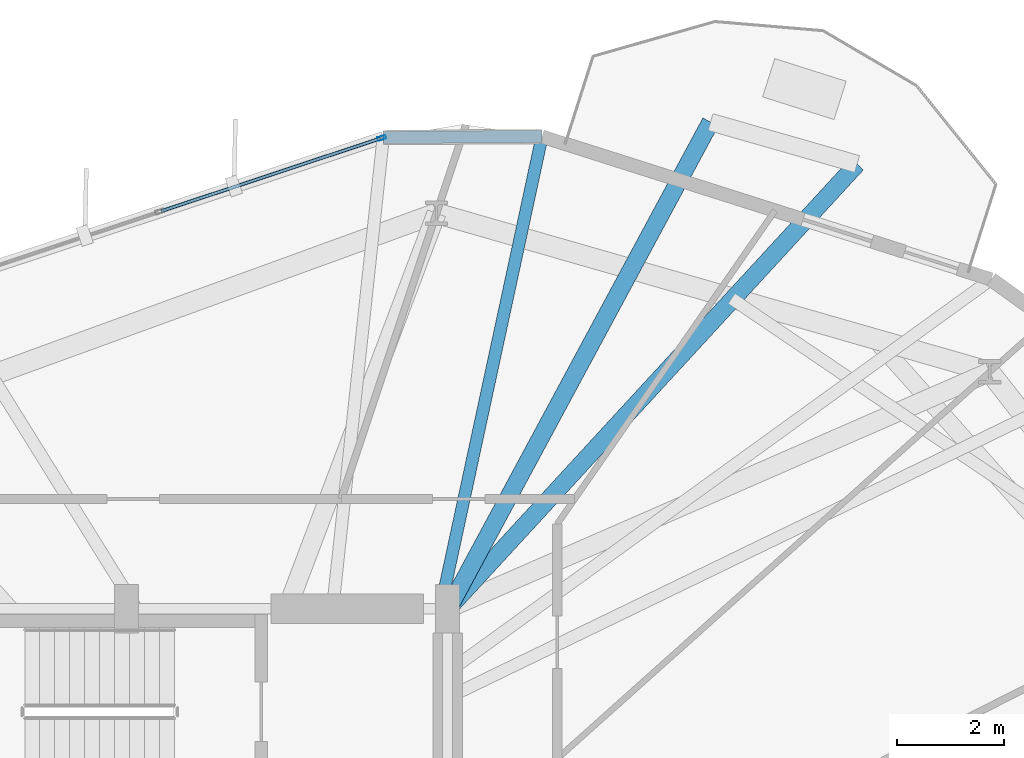
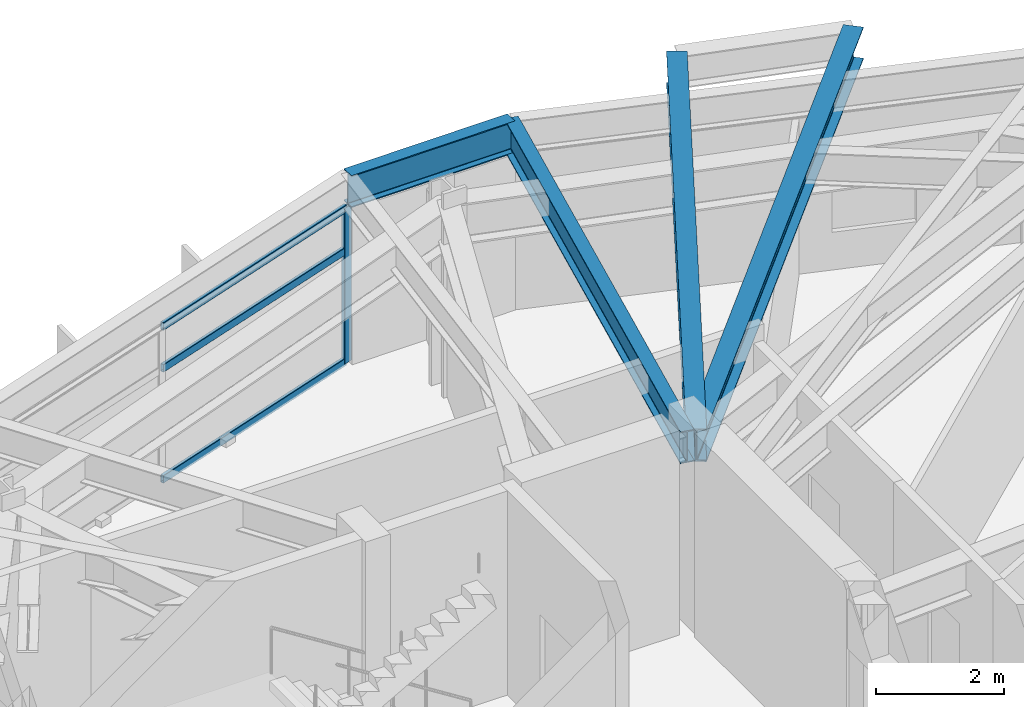
# One storey, part 18 of 27: 4 beams, 4 members, 1 element without a shape of its own.
"""IFC4 building model written with IfcOpenShell, lengths in metres."""

from ifc_helpers import new_model, si_unit, direction, frame, origin, origin_2d, place, context, subcontext, project, spatial, hollow_rectangle, i_section, extrude, material, layer, layer_set, material_profile, profile_set, type_object, element, aggregate, save


model = new_model("IFC4")

# Units and contexts
model_context = context("Model", 3, precision=1e-05, world=origin(), true_north=direction((0.0, 1.0)))
body_context = subcontext(model_context, "Body", "Model", "MODEL_VIEW")
ifc_project = project(units=[si_unit("LENGTHUNIT", "METRE"), si_unit("AREAUNIT", "SQUARE_METRE"), si_unit("VOLUMEUNIT", "CUBIC_METRE"), si_unit("PLANEANGLEUNIT", "RADIAN"), si_unit("MASSUNIT", "GRAM", prefix="KILO")], contexts=[model_context])

# Site, building, storey
site_placement = place(None, origin())
site = spatial("IfcSite", under=ifc_project, at=site_placement, CompositionType="ELEMENT")
building_placement = place(site_placement, origin())
building = spatial("IfcBuilding", under=site, at=building_placement, Name="Soratama Intermodal Tower", CompositionType="ELEMENT")
storey_placement = place(building_placement, frame((0.0, 0.0, 99.10009765625)))
storey = spatial("IfcBuildingStorey", under=building, at=storey_placement, Name="L23", CompositionType="ELEMENT", Elevation=99.10009765625)

# Beams
ifc_material_1 = material(Name="Structural steel ASTM A992 Grade 50", Category="steel")
ifc_material_profile_1 = material_profile(ifc_material_1, i_section(OverallWidth=0.324951171875, OverallDepth=0.615966796875, WebThickness=0.013916015625, FlangeThickness=0.021484375, FilletRadius=0.013916015625, at=origin_2d()), Name="W24X117")
ifc_profile_set_1 = profile_set([ifc_material_profile_1], Name="Structural steel ASTM A992 Grade 50")
beam_type_1 = type_object("IfcBeamType", Name="BM-CANT-W24X117", PredefinedType="BEAM", material=ifc_profile_set_1)
beam_1_placement = place(storey_placement, frame((44.626953125, 35.02001953125, 3.2919921875), z_axis=(0.676964478028, 0.736015689702, 0.0), x_axis=(-0.736015689702, 0.676964478028, 0.0)))
element("IfcBeam", 1, at=beam_1_placement, inside=storey, type_object=beam_type_1, Name="BM-L23-CANT-2-1", PredefinedType="BEAM", context=body_context, shape_type="SweptSolid", body=[
    extrude(i_section(OverallWidth=0.324951171875, OverallDepth=0.615966796875, WebThickness=0.013916015625, FlangeThickness=0.021484375, FilletRadius=0.013916015625, at=origin_2d()), origin(), (0.0, 0.0, 1.0), 11.261962890625),
])
beam_2_placement = place(storey_placement, frame((44.618896484375, 35.0029296875, 3.2919921875), z_axis=(0.474126615758, 0.880456672545, 0.0), x_axis=(-0.880456672545, 0.474126615758, 0.0)))
element("IfcBeam", 2, at=beam_2_placement, inside=storey, type_object=beam_type_1, Name="BM-L23-CANT-2-2", PredefinedType="BEAM", context=body_context, shape_type="SweptSolid", body=[
    extrude(i_section(OverallWidth=0.324951171875, OverallDepth=0.615966796875, WebThickness=0.013916015625, FlangeThickness=0.021484375, FilletRadius=0.013916015625, at=origin_2d()), origin(), (0.0, 0.0, 1.0), 10.32421875),
])
ifc_material_2 = material(Name="Structural steel ASTM A992 Grade 50", Category="steel")
ifc_material_profile_2 = material_profile(ifc_material_2, i_section(OverallWidth=0.22900390625, OverallDepth=0.612060546875, WebThickness=0.011962890625, FlangeThickness=0.01953125, FilletRadius=0.012939453125, at=origin_2d()), Name="W24X84")
ifc_profile_set_2 = profile_set([ifc_material_profile_2], Name="Structural steel ASTM A992 Grade 50")
beam_type_2 = type_object("IfcBeamType", Name="BM-SPN-W24X84", PredefinedType="SPANDREL", material=ifc_profile_set_2)
beam_3_placement = place(storey_placement, frame((46.364990234375, 43.822998046875, 3.2939453125), z_axis=(-0.999981462363, -0.006088918639, 0.0), x_axis=(0.006088918639, -0.999981462363, 0.0)))
element("IfcBeam", 3, at=beam_3_placement, inside=storey, type_object=beam_type_2, Name="BS-L23-CRN02", PredefinedType="SPANDREL", context=body_context, shape_type="SweptSolid", body=[
    extrude(i_section(OverallWidth=0.22900390625, OverallDepth=0.612060546875, WebThickness=0.011962890625, FlangeThickness=0.01953125, FilletRadius=0.012939453125, at=origin_2d()), origin(), (0.0, 0.0, 1.0), 2.967041015625),
])
ifc_material_3 = material(Name="Structural steel ASTM A992 Grade 50", Category="steel")
ifc_material_profile_3 = material_profile(ifc_material_3, i_section(OverallWidth=0.22900390625, OverallDepth=0.612060546875, WebThickness=0.011962890625, FlangeThickness=0.01953125, FilletRadius=0.012939453125, at=origin_2d()), Name="W24X84")
ifc_profile_set_3 = profile_set([ifc_material_profile_3], Name="Structural steel ASTM A992 Grade 50")
beam_type_3 = type_object("IfcBeamType", Name="BM-TIE-W24X84", PredefinedType="BEAM", material=ifc_profile_set_3)
beam_4_placement = place(storey_placement, frame((44.47412109375, 35.0390625, 3.2939453125), z_axis=(0.210443817433, 0.977605953186, 0.0), x_axis=(-0.977605953186, 0.210443817433, 0.0)))
element("IfcBeam", 4, at=beam_4_placement, inside=storey, type_object=beam_type_3, Name="BM-L23-TIE1-02", PredefinedType="BEAM", context=body_context, shape_type="SweptSolid", body=[
    extrude(i_section(OverallWidth=0.22900390625, OverallDepth=0.612060546875, WebThickness=0.011962890625, FlangeThickness=0.01953125, FilletRadius=0.012939453125, at=origin_2d()), origin(), (0.0, 0.0, 1.0), 8.985107421875),
])

# Curtain wall, members
ifc_material_4 = material(Name="Double-glazed aluminium curtain wall", Category="aluminium")
ifc_layer = layer(ifc_material_4, 0.159912109375)
ifc_layer_set = layer_set([ifc_layer], Name="Double-glazed aluminium curtain wall")
curtain_wall_type = type_object("IfcCurtainWallType", Name="CW-SYS-3", PredefinedType="NOTDEFINED", material=ifc_layer_set)
curtain_wall_placement = place(storey_placement, origin())
curtain_wall = element("IfcCurtainWall", 5, at=curtain_wall_placement, inside=storey, type_object=curtain_wall_type, Name="L23 Faceted Curtain Wall F03", PredefinedType="NOTDEFINED")
ifc_material_5 = material(Name="Anodised aluminium AA 6063-T6", Category="aluminium")
ifc_material_profile_4 = material_profile(ifc_material_5, hollow_rectangle(XDim=0.070068359375, YDim=0.159912109375, WallThickness=0.0048828125, InnerFilletRadius=0.0048828125, OuterFilletRadius=0.010009765625, at=origin_2d()), Name="CWM160X70X5")
ifc_profile_set_4 = profile_set([ifc_material_profile_4], Name="Anodised aluminium AA 6063-T6")
member_type_1 = type_object("IfcMemberType", Name="MT-CWM-3", PredefinedType="MULLION", material=ifc_profile_set_4)
member_1_placement = place(storey_placement, frame((43.3701171875, 43.795166015625, 0.0), z_axis=(0.0, 0.0, 1.0), x_axis=(0.314994319934, -0.949093556194, 0.0)))
member_1 = element("IfcMember", 6, at=member_1_placement, type_object=member_type_1, Name="CW-3 mullion 1", PredefinedType="MULLION", context=body_context, shape_type="SweptSolid", body=[
    extrude(hollow_rectangle(XDim=0.070068359375, YDim=0.159912109375, WallThickness=0.0048828125, InnerFilletRadius=0.0048828125, OuterFilletRadius=0.010009765625, at=origin_2d()), origin(), (0.0, 0.0, 1.0), 2.97900390625),
])
ifc_material_6 = material(Name="Anodised aluminium AA 6063-T6", Category="aluminium")
ifc_material_profile_5 = material_profile(ifc_material_6, hollow_rectangle(XDim=0.06494140625, YDim=0.14990234375, WallThickness=0.0048828125, InnerFilletRadius=0.0048828125, OuterFilletRadius=0.010009765625, at=origin_2d()), Name="CWT150X65X5")
ifc_profile_set_5 = profile_set([ifc_material_profile_5], Name="Anodised aluminium AA 6063-T6")
member_type_2 = type_object("IfcMemberType", Name="TT-CWT-1", PredefinedType="USERDEFINED", material=ifc_profile_set_5)
member_2_placement = place(storey_placement, frame((43.341552734375, 43.785888671875, 0.02978515625), z_axis=(-0.949095679921, -0.314987920966, 0.0), x_axis=(0.314987920966, -0.949095679921, 0.0)))
member_2 = element("IfcMember", 7, at=member_2_placement, type_object=member_type_2, Name="CW-3 transom 1.1", ObjectType="TRANSOM", PredefinedType="USERDEFINED", context=body_context, shape_type="SweptSolid", body=[
    extrude(hollow_rectangle(XDim=0.06494140625, YDim=0.14990234375, WallThickness=0.0048828125, InnerFilletRadius=0.0048828125, OuterFilletRadius=0.010009765625, at=origin_2d()), origin(), (0.0, 0.0, 1.0), 4.313232421875),
])
member_3_placement = place(storey_placement, frame((43.341552734375, 43.785888671875, 2.14990234375), z_axis=(-0.949095679921, -0.314987920966, 0.0), x_axis=(0.314987920966, -0.949095679921, 0.0)))
member_3 = element("IfcMember", 8, at=member_3_placement, type_object=member_type_2, Name="CW-3 transom 1.2", ObjectType="TRANSOM", PredefinedType="USERDEFINED", context=body_context, shape_type="SweptSolid", body=[
    extrude(hollow_rectangle(XDim=0.06494140625, YDim=0.14990234375, WallThickness=0.0048828125, InnerFilletRadius=0.0048828125, OuterFilletRadius=0.010009765625, at=origin_2d()), origin(), (0.0, 0.0, 1.0), 4.313232421875),
])
member_4_placement = place(storey_placement, frame((43.341552734375, 43.785888671875, 2.948974609375), z_axis=(-0.949095679921, -0.314987920966, 0.0), x_axis=(0.314987920966, -0.949095679921, 0.0)))
member_4 = element("IfcMember", 9, at=member_4_placement, type_object=member_type_2, Name="CW-3 transom 1.3", ObjectType="TRANSOM", PredefinedType="USERDEFINED", context=body_context, shape_type="SweptSolid", body=[
    extrude(hollow_rectangle(XDim=0.06494140625, YDim=0.14990234375, WallThickness=0.0048828125, InnerFilletRadius=0.0048828125, OuterFilletRadius=0.010009765625, at=origin_2d()), origin(), (0.0, 0.0, 1.0), 4.313232421875),
])
aggregate(curtain_wall, [member_1, member_2, member_3, member_4])

save(model, "model.ifc")
